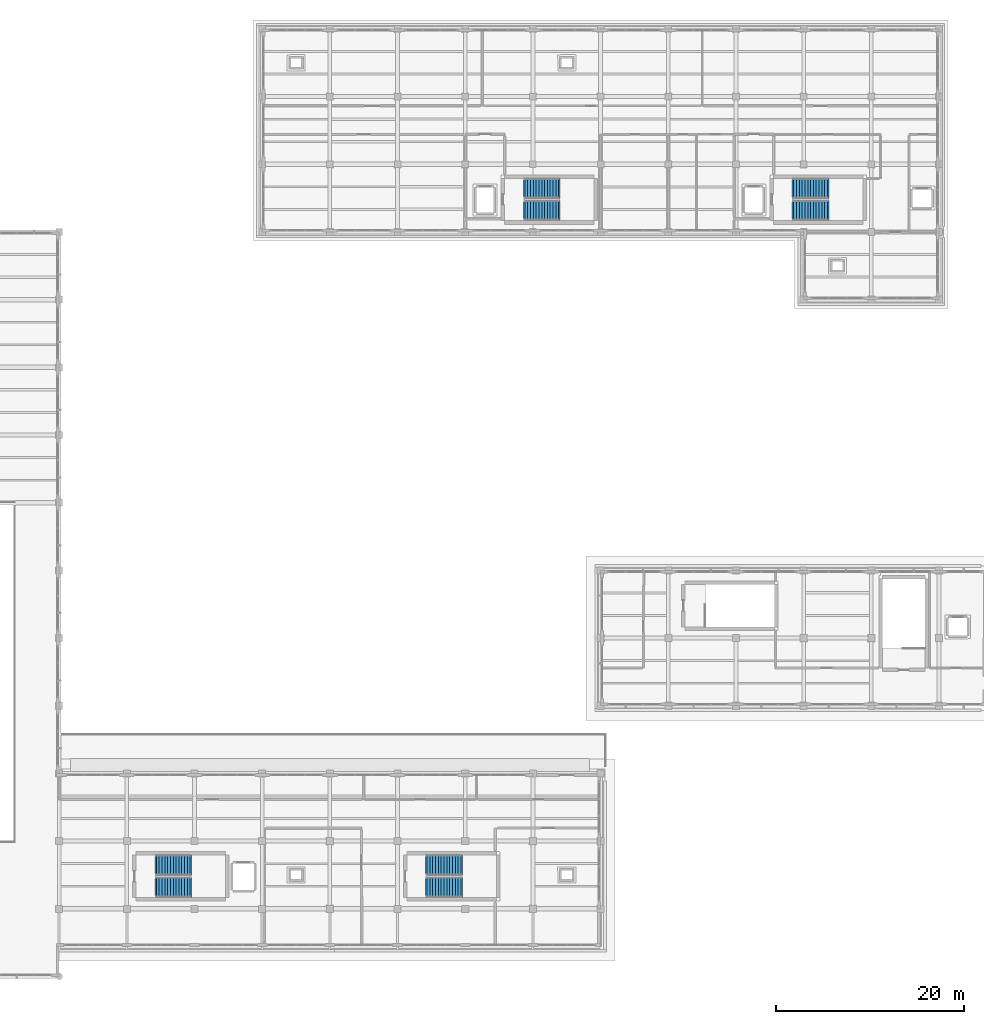
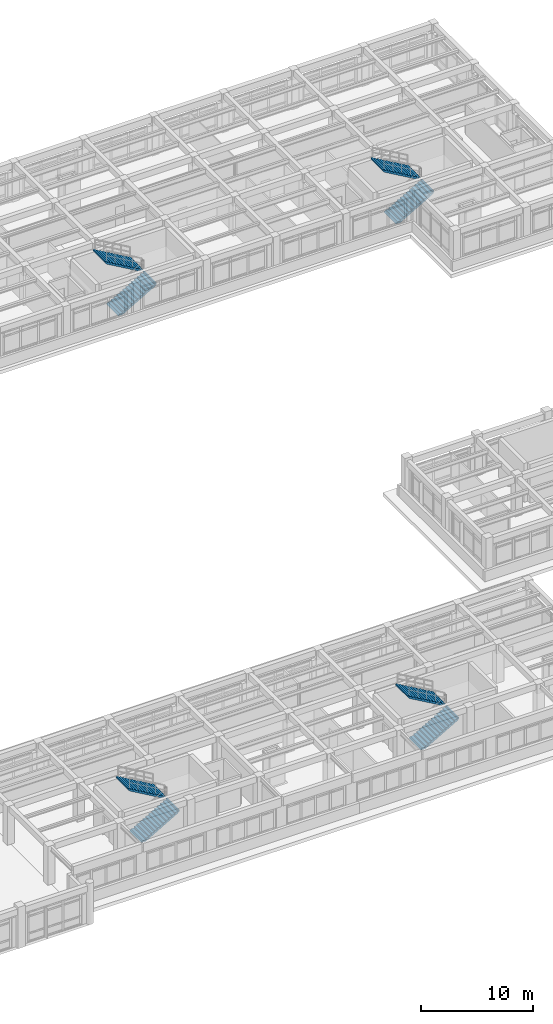
# One storey, part 52 of 64: 8 stair flights, 4 elements without a shape of their own.
"""IFC4 building model written with IfcOpenShell, lengths in metres."""

from ifc_helpers import new_model, si_unit, direction, frame, origin, place, context, subcontext, project, spatial, polyline, outline, extrude, material, type_object, element, aggregate, save


model = new_model("IFC4")

# Units and contexts
model_context = context("Model", 3, precision=1e-05, world=origin(), true_north=direction((0.0, 1.0)))
body_context = subcontext(model_context, "Body", "Model", "MODEL_VIEW")
ifc_project = project(units=[si_unit("LENGTHUNIT", "METRE"), si_unit("AREAUNIT", "SQUARE_METRE"), si_unit("VOLUMEUNIT", "CUBIC_METRE"), si_unit("PLANEANGLEUNIT", "RADIAN"), si_unit("MASSUNIT", "GRAM", prefix="KILO")], contexts=[model_context])

# Site, building, storey
site_placement = place(None, origin())
site = spatial("IfcSite", under=ifc_project, at=site_placement, CompositionType="ELEMENT")
building_placement = place(site_placement, origin())
building = spatial("IfcBuilding", under=site, at=building_placement, Name="Solenvale Faculty of Natural Sciences", CompositionType="ELEMENT")
storey_placement = place(building_placement, frame((0.0, 0.0, 18.0)))
storey = spatial("IfcBuildingStorey", under=building, at=storey_placement, Name="L04", CompositionType="ELEMENT", Elevation=18.0)

# Stair, stair flights
ifc_material = material(Name="Concrete 40 MPa", Category="concrete")
stair_type = type_object("IfcStairType", Name="STR-CORE-25R", PredefinedType="DOUBLE_RETURN_STAIR", material=ifc_material)
stair_1_placement = place(storey_placement, origin())
stair_1 = element("IfcStair", 1, at=stair_1_placement, inside=storey, type_object=stair_type, Name="L04 Protected Exit Stair ST-03", PredefinedType="DOUBLE_RETURN_STAIR")
stair_flight_type = type_object("IfcStairFlightType", Name="SFL-RC-25R", PredefinedType="STRAIGHT", material=ifc_material)
stair_flight_1_placement = place(storey_placement, frame((67.93994140625, 23.875, 0.0), z_axis=(0.0, 0.0, 1.0), x_axis=(1.0, 0.0, 0.0)))
stair_flight_1 = element("IfcStairFlight", 2, at=stair_flight_1_placement, type_object=stair_flight_type, Name="ST-03 flight 1", NumberOfRisers=13, NumberOfTreads=12, PredefinedType="STRAIGHT", RiserHeight=0.173076923, TreadLength=0.3, context=body_context, shape_type="SweptSolid", body=[
    extrude(outline(polyline([(-0.159912109375, 0.0), (0.0, 0.173095703125), (0.300048828125, 0.173095703125), (0.300048828125, 0.34619140625), (0.60009765625, 0.34619140625), (0.60009765625, 0.519287109375), (0.89990234375, 0.519287109375), (0.89990234375, 0.6923828125), (1.199951171875, 0.6923828125), (1.199951171875, 0.865478515625), (1.5, 0.865478515625), (1.5, 1.03857421875), (1.800048828125, 1.03857421875), (1.800048828125, 1.21142578125), (2.10009765625, 1.21142578125), (2.10009765625, 1.384521484375), (2.39990234375, 1.384521484375), (2.39990234375, 1.5576171875), (2.699951171875, 1.5576171875), (2.699951171875, 1.730712890625), (3.0, 1.730712890625), (3.0, 1.90380859375), (3.300048828125, 1.90380859375), (3.300048828125, 2.076904296875), (3.60009765625, 2.076904296875), (3.60009765625, 2.25), (3.760009765625, 2.25), (3.760009765625, 2.10009765625), (3.60009765625, 1.90380859375), (0.300048828125, 0.0), (-0.159912109375, 0.0)])), frame((0.0, 1.074951171875, 0.0), z_axis=(0.0, -1.0, 0.0), x_axis=(1.0, 0.0, 0.0)), (0.0, 0.0, 1.0), 2.14990234375),
])
stair_flight_2_placement = place(storey_placement, frame((71.5400390625, 26.22509765625, 2.25), z_axis=(0.0, 0.0, 1.0), x_axis=(-1.0, 0.0, 0.0)))
stair_flight_2 = element("IfcStairFlight", 3, at=stair_flight_2_placement, type_object=stair_flight_type, Name="ST-03 flight 2", NumberOfRisers=13, NumberOfTreads=12, PredefinedType="STRAIGHT", RiserHeight=0.173076923, TreadLength=0.3, context=body_context, shape_type="SweptSolid", body=[
    extrude(outline(polyline([(-0.159912109375, 0.0), (0.0, 0.173095703125), (0.300048828125, 0.173095703125), (0.300048828125, 0.34619140625), (0.60009765625, 0.34619140625), (0.60009765625, 0.519287109375), (0.89990234375, 0.519287109375), (0.89990234375, 0.6923828125), (1.199951171875, 0.6923828125), (1.199951171875, 0.865478515625), (1.5, 0.865478515625), (1.5, 1.03857421875), (1.800048828125, 1.03857421875), (1.800048828125, 1.21142578125), (2.10009765625, 1.21142578125), (2.10009765625, 1.384521484375), (2.39990234375, 1.384521484375), (2.39990234375, 1.5576171875), (2.699951171875, 1.5576171875), (2.699951171875, 1.730712890625), (3.0, 1.730712890625), (3.0, 1.90380859375), (3.300048828125, 1.90380859375), (3.300048828125, 2.076904296875), (3.60009765625, 2.076904296875), (3.60009765625, 2.25), (3.760009765625, 2.25), (3.760009765625, 2.10009765625), (3.60009765625, 1.90380859375), (0.300048828125, 0.0), (-0.159912109375, 0.0)])), frame((0.0, 1.074951171875, 0.0), z_axis=(0.0, -1.0, 0.0), x_axis=(1.0, 0.0, 0.0)), (0.0, 0.0, 1.0), 2.14990234375),
])
aggregate(stair_1, [stair_flight_1, stair_flight_2])

stair_2_placement = place(storey_placement, origin())
stair_2 = element("IfcStair", 4, at=stair_2_placement, inside=storey, type_object=stair_type, Name="L04 Protected Exit Stair ST-07", PredefinedType="DOUBLE_RETURN_STAIR")
stair_flight_3_placement = place(storey_placement, frame((96.739990234375, 23.875, 0.0), z_axis=(0.0, 0.0, 1.0), x_axis=(1.0, 0.0, 0.0)))
stair_flight_3 = element("IfcStairFlight", 5, at=stair_flight_3_placement, type_object=stair_flight_type, Name="ST-07 flight 1", NumberOfRisers=13, NumberOfTreads=12, PredefinedType="STRAIGHT", RiserHeight=0.173076923, TreadLength=0.3, context=body_context, shape_type="SweptSolid", body=[
    extrude(outline(polyline([(-0.159912109375, 0.0), (0.0, 0.173095703125), (0.300048828125, 0.173095703125), (0.300048828125, 0.34619140625), (0.60009765625, 0.34619140625), (0.60009765625, 0.519287109375), (0.89990234375, 0.519287109375), (0.89990234375, 0.6923828125), (1.199951171875, 0.6923828125), (1.199951171875, 0.865478515625), (1.5, 0.865478515625), (1.5, 1.03857421875), (1.800048828125, 1.03857421875), (1.800048828125, 1.21142578125), (2.10009765625, 1.21142578125), (2.10009765625, 1.384521484375), (2.39990234375, 1.384521484375), (2.39990234375, 1.5576171875), (2.699951171875, 1.5576171875), (2.699951171875, 1.730712890625), (3.0, 1.730712890625), (3.0, 1.90380859375), (3.300048828125, 1.90380859375), (3.300048828125, 2.076904296875), (3.60009765625, 2.076904296875), (3.60009765625, 2.25), (3.760009765625, 2.25), (3.760009765625, 2.10009765625), (3.60009765625, 1.90380859375), (0.300048828125, 0.0), (-0.159912109375, 0.0)])), frame((0.0, 1.074951171875, 0.0), z_axis=(0.0, -1.0, 0.0), x_axis=(1.0, 0.0, 0.0)), (0.0, 0.0, 1.0), 2.14990234375),
])
stair_flight_4_placement = place(storey_placement, frame((100.340087890625, 26.22509765625, 2.25), z_axis=(0.0, 0.0, 1.0), x_axis=(-1.0, 0.0, 0.0)))
stair_flight_4 = element("IfcStairFlight", 6, at=stair_flight_4_placement, type_object=stair_flight_type, Name="ST-07 flight 2", NumberOfRisers=13, NumberOfTreads=12, PredefinedType="STRAIGHT", RiserHeight=0.173076923, TreadLength=0.3, context=body_context, shape_type="SweptSolid", body=[
    extrude(outline(polyline([(-0.159912109375, 0.0), (0.0, 0.173095703125), (0.300048828125, 0.173095703125), (0.300048828125, 0.34619140625), (0.60009765625, 0.34619140625), (0.60009765625, 0.519287109375), (0.89990234375, 0.519287109375), (0.89990234375, 0.6923828125), (1.199951171875, 0.6923828125), (1.199951171875, 0.865478515625), (1.5, 0.865478515625), (1.5, 1.03857421875), (1.800048828125, 1.03857421875), (1.800048828125, 1.21142578125), (2.10009765625, 1.21142578125), (2.10009765625, 1.384521484375), (2.39990234375, 1.384521484375), (2.39990234375, 1.5576171875), (2.699951171875, 1.5576171875), (2.699951171875, 1.730712890625), (3.0, 1.730712890625), (3.0, 1.90380859375), (3.300048828125, 1.90380859375), (3.300048828125, 2.076904296875), (3.60009765625, 2.076904296875), (3.60009765625, 2.25), (3.760009765625, 2.25), (3.760009765625, 2.10009765625), (3.60009765625, 1.90380859375), (0.300048828125, 0.0), (-0.159912109375, 0.0)])), frame((0.0, 1.074951171875, 0.0), z_axis=(0.0, -1.0, 0.0), x_axis=(1.0, 0.0, 0.0)), (0.0, 0.0, 1.0), 2.14990234375),
])
aggregate(stair_2, [stair_flight_3, stair_flight_4])

stair_3_placement = place(storey_placement, origin())
stair_3 = element("IfcStair", 7, at=stair_3_placement, inside=storey, type_object=stair_type, Name="L04 Protected Exit Stair ST-04", PredefinedType="DOUBLE_RETURN_STAIR")
stair_flight_5_placement = place(storey_placement, frame((107.139892578125, 95.875, 0.0), z_axis=(0.0, 0.0, 1.0), x_axis=(1.0, 0.0, 0.0)))
stair_flight_5 = element("IfcStairFlight", 8, at=stair_flight_5_placement, type_object=stair_flight_type, Name="ST-04 flight 1", NumberOfRisers=13, NumberOfTreads=12, PredefinedType="STRAIGHT", RiserHeight=0.173076923, TreadLength=0.3, context=body_context, shape_type="SweptSolid", body=[
    extrude(outline(polyline([(-0.159912109375, 0.0), (0.0, 0.173095703125), (0.300048828125, 0.173095703125), (0.300048828125, 0.34619140625), (0.60009765625, 0.34619140625), (0.60009765625, 0.519287109375), (0.89990234375, 0.519287109375), (0.89990234375, 0.6923828125), (1.199951171875, 0.6923828125), (1.199951171875, 0.865478515625), (1.5, 0.865478515625), (1.5, 1.03857421875), (1.800048828125, 1.03857421875), (1.800048828125, 1.21142578125), (2.10009765625, 1.21142578125), (2.10009765625, 1.384521484375), (2.39990234375, 1.384521484375), (2.39990234375, 1.5576171875), (2.699951171875, 1.5576171875), (2.699951171875, 1.730712890625), (3.0, 1.730712890625), (3.0, 1.90380859375), (3.300048828125, 1.90380859375), (3.300048828125, 2.076904296875), (3.60009765625, 2.076904296875), (3.60009765625, 2.25), (3.760009765625, 2.25), (3.760009765625, 2.10009765625), (3.60009765625, 1.90380859375), (0.300048828125, 0.0), (-0.159912109375, 0.0)])), frame((0.0, 1.074951171875, 0.0), z_axis=(0.0, -1.0, 0.0), x_axis=(1.0, 0.0, 0.0)), (0.0, 0.0, 1.0), 2.14990234375),
])
stair_flight_6_placement = place(storey_placement, frame((110.739990234375, 98.22509765625, 2.25), z_axis=(0.0, 0.0, 1.0), x_axis=(-1.0, 0.0, 0.0)))
stair_flight_6 = element("IfcStairFlight", 9, at=stair_flight_6_placement, type_object=stair_flight_type, Name="ST-04 flight 2", NumberOfRisers=13, NumberOfTreads=12, PredefinedType="STRAIGHT", RiserHeight=0.173076923, TreadLength=0.3, context=body_context, shape_type="SweptSolid", body=[
    extrude(outline(polyline([(-0.159912109375, 0.0), (0.0, 0.173095703125), (0.300048828125, 0.173095703125), (0.300048828125, 0.34619140625), (0.60009765625, 0.34619140625), (0.60009765625, 0.519287109375), (0.89990234375, 0.519287109375), (0.89990234375, 0.6923828125), (1.199951171875, 0.6923828125), (1.199951171875, 0.865478515625), (1.5, 0.865478515625), (1.5, 1.03857421875), (1.800048828125, 1.03857421875), (1.800048828125, 1.21142578125), (2.10009765625, 1.21142578125), (2.10009765625, 1.384521484375), (2.39990234375, 1.384521484375), (2.39990234375, 1.5576171875), (2.699951171875, 1.5576171875), (2.699951171875, 1.730712890625), (3.0, 1.730712890625), (3.0, 1.90380859375), (3.300048828125, 1.90380859375), (3.300048828125, 2.076904296875), (3.60009765625, 2.076904296875), (3.60009765625, 2.25), (3.760009765625, 2.25), (3.760009765625, 2.10009765625), (3.60009765625, 1.90380859375), (0.300048828125, 0.0), (-0.159912109375, 0.0)])), frame((0.0, 1.074951171875, 0.0), z_axis=(0.0, -1.0, 0.0), x_axis=(1.0, 0.0, 0.0)), (0.0, 0.0, 1.0), 2.14990234375),
])
aggregate(stair_3, [stair_flight_5, stair_flight_6])

stair_4_placement = place(storey_placement, origin())
stair_4 = element("IfcStair", 10, at=stair_4_placement, inside=storey, type_object=stair_type, Name="L04 Protected Exit Stair ST-05", PredefinedType="DOUBLE_RETURN_STAIR")
stair_flight_7_placement = place(storey_placement, frame((135.739990234375, 95.875, 0.0), z_axis=(0.0, 0.0, 1.0), x_axis=(1.0, 0.0, 0.0)))
stair_flight_7 = element("IfcStairFlight", 11, at=stair_flight_7_placement, type_object=stair_flight_type, Name="ST-05 flight 1", NumberOfRisers=13, NumberOfTreads=12, PredefinedType="STRAIGHT", RiserHeight=0.173076923, TreadLength=0.3, context=body_context, shape_type="SweptSolid", body=[
    extrude(outline(polyline([(-0.159912109375, 0.0), (0.0, 0.173095703125), (0.300048828125, 0.173095703125), (0.300048828125, 0.34619140625), (0.60009765625, 0.34619140625), (0.60009765625, 0.519287109375), (0.89990234375, 0.519287109375), (0.89990234375, 0.6923828125), (1.199951171875, 0.6923828125), (1.199951171875, 0.865478515625), (1.5, 0.865478515625), (1.5, 1.03857421875), (1.800048828125, 1.03857421875), (1.800048828125, 1.21142578125), (2.10009765625, 1.21142578125), (2.10009765625, 1.384521484375), (2.39990234375, 1.384521484375), (2.39990234375, 1.5576171875), (2.699951171875, 1.5576171875), (2.699951171875, 1.730712890625), (3.0, 1.730712890625), (3.0, 1.90380859375), (3.300048828125, 1.90380859375), (3.300048828125, 2.076904296875), (3.60009765625, 2.076904296875), (3.60009765625, 2.25), (3.760009765625, 2.25), (3.760009765625, 2.10009765625), (3.60009765625, 1.90380859375), (0.300048828125, 0.0), (-0.159912109375, 0.0)])), frame((0.0, 1.074951171875, 0.0), z_axis=(0.0, -1.0, 0.0), x_axis=(1.0, 0.0, 0.0)), (0.0, 0.0, 1.0), 2.14990234375),
])
stair_flight_8_placement = place(storey_placement, frame((139.340087890625, 98.22509765625, 2.25), z_axis=(0.0, 0.0, 1.0), x_axis=(-1.0, 0.0, 0.0)))
stair_flight_8 = element("IfcStairFlight", 12, at=stair_flight_8_placement, type_object=stair_flight_type, Name="ST-05 flight 2", NumberOfRisers=13, NumberOfTreads=12, PredefinedType="STRAIGHT", RiserHeight=0.173076923, TreadLength=0.3, context=body_context, shape_type="SweptSolid", body=[
    extrude(outline(polyline([(-0.159912109375, 0.0), (0.0, 0.173095703125), (0.300048828125, 0.173095703125), (0.300048828125, 0.34619140625), (0.60009765625, 0.34619140625), (0.60009765625, 0.519287109375), (0.89990234375, 0.519287109375), (0.89990234375, 0.6923828125), (1.199951171875, 0.6923828125), (1.199951171875, 0.865478515625), (1.5, 0.865478515625), (1.5, 1.03857421875), (1.800048828125, 1.03857421875), (1.800048828125, 1.21142578125), (2.10009765625, 1.21142578125), (2.10009765625, 1.384521484375), (2.39990234375, 1.384521484375), (2.39990234375, 1.5576171875), (2.699951171875, 1.5576171875), (2.699951171875, 1.730712890625), (3.0, 1.730712890625), (3.0, 1.90380859375), (3.300048828125, 1.90380859375), (3.300048828125, 2.076904296875), (3.60009765625, 2.076904296875), (3.60009765625, 2.25), (3.760009765625, 2.25), (3.760009765625, 2.10009765625), (3.60009765625, 1.90380859375), (0.300048828125, 0.0), (-0.159912109375, 0.0)])), frame((0.0, 1.074951171875, 0.0), z_axis=(0.0, -1.0, 0.0), x_axis=(1.0, 0.0, 0.0)), (0.0, 0.0, 1.0), 2.14990234375),
])
aggregate(stair_4, [stair_flight_7, stair_flight_8])

save(model, "model.ifc")
